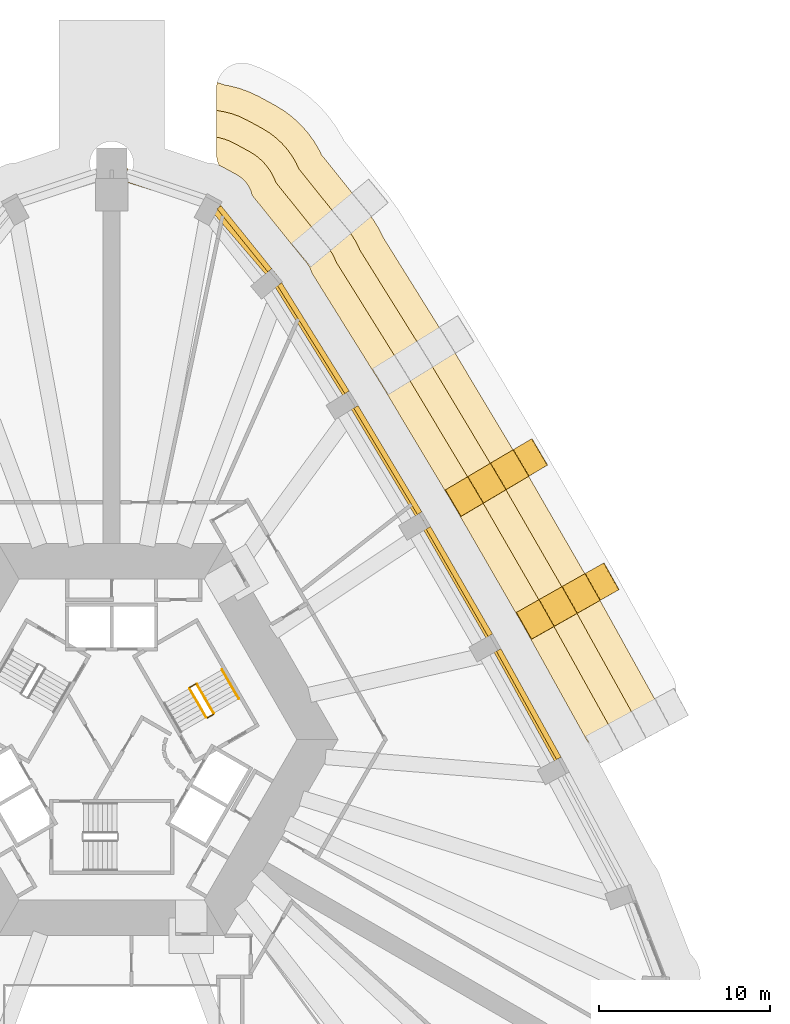
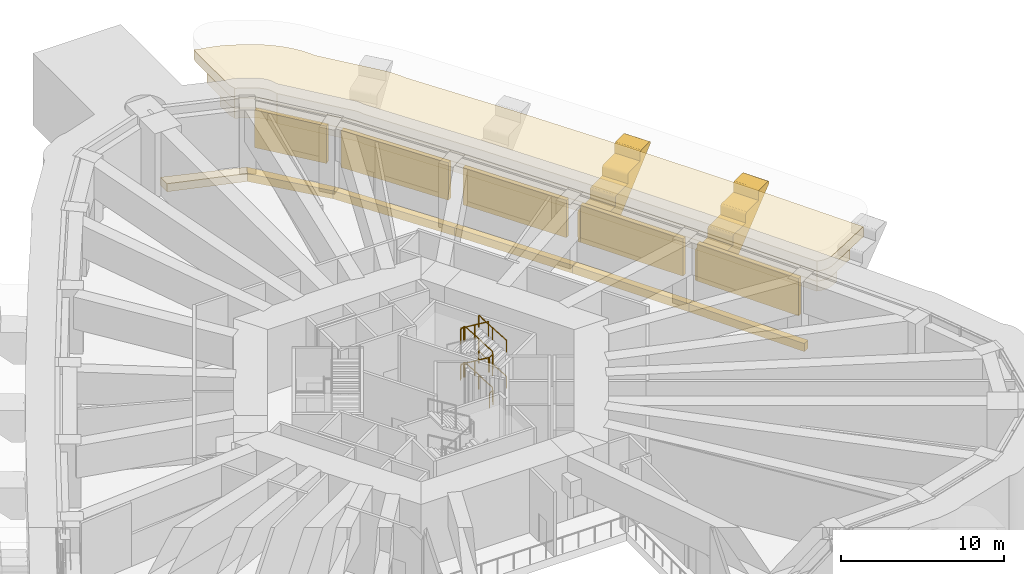
# One storey, part 20 of 21: 11 coverings, 10 railings, 5 shading devices.
"""IFC4 building model written with IfcOpenShell, lengths in metres."""

from ifc_helpers import new_model, si_unit, direction, frame, origin, origin_2d, place, context, subcontext, project, spatial, polyline, rectangle, circle, outline, extrude, material, layer, layer_set, type_object, element, save


model = new_model("IFC4")

# Units and contexts
model_context = context("Model", 3, precision=1e-05, world=origin(), true_north=direction((0.0, 1.0)))
body_context = subcontext(model_context, "Body", "Model", "MODEL_VIEW")
ifc_project = project(units=[si_unit("LENGTHUNIT", "METRE"), si_unit("AREAUNIT", "SQUARE_METRE"), si_unit("VOLUMEUNIT", "CUBIC_METRE"), si_unit("PLANEANGLEUNIT", "RADIAN"), si_unit("MASSUNIT", "GRAM", prefix="KILO")], contexts=[model_context])

# Site, building, storey
site_placement = place(None, origin())
site = spatial("IfcSite", under=ifc_project, at=site_placement, CompositionType="ELEMENT")
building_placement = place(site_placement, origin())
building = spatial("IfcBuilding", under=site, at=building_placement, Name="Entoto Arch Interchange Tower", CompositionType="ELEMENT")
storey_placement = place(building_placement, frame((0.0, 0.0, 236.0)))
storey = spatial("IfcBuildingStorey", under=building, at=storey_placement, Name="L53", CompositionType="ELEMENT", Elevation=236.0)

# Shading devices
ifc_material_1 = material(Name="Aluminium, anodised", Category="aluminium")
ifc_layer = layer(ifc_material_1, 0.300048828125)
ifc_layer_set = layer_set([ifc_layer], Name="Aluminium, anodised")
shading_device_type = type_object("IfcShadingDeviceType", Name="PLANT LOUVRE ALUMINIUM", PredefinedType="JALOUSIE", material=ifc_layer_set)
for number, where, z_axis, x_axis, name in (
    (1, (24.450927734375, 4.575927734375, 1.2001953125), (0.0, 0.0, 1.0), (-0.485450619665, 0.874264088172, 0.0), "Plant louvre NE-02 L53"),
    (2, (20.3798828125, 11.76708984375, 1.2001953125), (0.0, 0.0, 1.0), (-0.499969769706, 0.866042856549, 0.0), "Plant louvre NE-03 L53"),
):
    element("IfcShadingDevice", number, at=place(storey_placement, frame(where, z_axis=z_axis, x_axis=x_axis)), inside=storey, type_object=shading_device_type, Name=name, PredefinedType="JALOUSIE", context=body_context, shape_type="SweptSolid", body=[
        extrude(rectangle(XDim=7.26611328125, YDim=0.300048828125, at=origin_2d()), origin(), (0.0, 0.0, 1.0), 2.800048828125),
    ])
shading_device_1_placement = place(storey_placement, frame((16.18798828125, 18.887939453125, 1.2001953125), z_axis=(0.0, 0.0, 1.0), x_axis=(-0.514394633086, 0.857553591009, 0.0)))
element("IfcShadingDevice", 3, at=shading_device_1_placement, inside=storey, type_object=shading_device_type, Name="Plant louvre NE-04 L53", PredefinedType="JALOUSIE", context=body_context, shape_type="SweptSolid", body=[
    extrude(rectangle(XDim=7.264892578125, YDim=0.300048828125, at=origin_2d()), origin(), (0.0, 0.0, 1.0), 2.800048828125),
])
shading_device_2_placement = place(storey_placement, frame((11.822998046875, 26.02392578125, 1.2001953125), z_axis=(0.0, 0.0, 1.0), x_axis=(-0.528956843387, 0.84864872464, 0.0)))
element("IfcShadingDevice", 4, at=shading_device_2_placement, inside=storey, type_object=shading_device_type, Name="Plant louvre NE-05 L53", PredefinedType="JALOUSIE", context=body_context, shape_type="SweptSolid", body=[
    extrude(rectangle(XDim=7.468994140625, YDim=0.300048828125, at=origin_2d()), origin(), (0.0, 0.0, 1.0), 2.800048828125),
])
shading_device_3_placement = place(storey_placement, frame((7.782958984375, 31.85791015625, 1.2001953125), z_axis=(0.0, 0.0, 1.0), x_axis=(-0.627106955174, 0.778933159374, 0.0)))
element("IfcShadingDevice", 5, at=shading_device_3_placement, inside=storey, type_object=shading_device_type, Name="Plant louvre N-01 L53", PredefinedType="JALOUSIE", context=body_context, shape_type="SweptSolid", body=[
    extrude(rectangle(XDim=4.741943359375, YDim=0.300048828125, at=origin_2d()), origin(), (0.0, 0.0, 1.0), 2.800048828125),
])

# Coverings
ifc_material_2 = material(Name="Board-marked precast concrete C50/60", Category="concrete")
covering_type_1 = type_object("IfcCoveringType", Name="PRECAST FRAME COURSE", PredefinedType="CLADDING", material=ifc_material_2)
covering_1_placement = place(storey_placement, frame((0.0, 0.0, 3.300048828125)))
element("IfcCovering", 6, at=covering_1_placement, inside=storey, type_object=covering_type_1, Name="Cantilever cornice ne-L53 2", PredefinedType="CLADDING", context=body_context, shape_type="SweptSolid", body=[
    extrude(outline(polyline([(6.256103515625, 36.256103515625), (6.2080078125, 36.39306640625), (6.174072265625, 36.532958984375), (6.153076171875, 36.677001953125), (6.14599609375, 36.821044921875), (6.14599609375, 37.256103515625), (6.14599609375, 40.669921875), (6.153076171875, 40.81298828125), (6.174072265625, 40.9560546875), (6.18896484375, 41.01708984375), (6.64697265625, 40.864013671875), (6.905029296875, 40.823974609375), (7.51806640625, 40.6650390625), (8.112060546875, 40.447021484375), (8.681884765625, 40.172119140625), (9.56005859375, 39.693115234375), (10.10107421875, 39.364013671875), (10.60595703125, 38.98291015625), (11.071044921875, 38.553955078125), (11.492919921875, 38.0810546875), (11.865966796875, 37.570068359375), (12.18701171875, 37.02392578125), (12.299072265625, 36.781982421875), (14.695068359375, 33.797119140625), (14.98095703125, 33.452880859375), (15.360107421875, 32.946044921875), (15.68896484375, 32.405029296875), (15.906982421875, 31.949951171875), (19.389892578125, 26.362060546875), (19.416015625, 26.323974609375), (19.94189453125, 25.47412109375), (19.988037109375, 25.39697265625), (23.700927734375, 19.195068359375), (23.742919921875, 19.131103515625), (24.2509765625, 18.27001953125), (24.284912109375, 18.2119140625), (27.885986328125, 11.966064453125), (27.947998046875, 11.866943359375), (28.43896484375, 10.99609375), (28.4619140625, 10.955078125), (31.947021484375, 4.672119140625), (32.031005859375, 4.532958984375), (32.26806640625, 4.093017578125), (30.25390625, 3.009033203125), (29.156005859375, 2.4169921875), (29.031005859375, 2.35693359375), (28.89990234375, 2.30908203125), (28.76611328125, 2.27294921875), (28.62890625, 2.2490234375), (28.489990234375, 2.239013671875), (28.35107421875, 2.240966796875), (28.212890625, 2.256103515625), (28.076904296875, 2.283935546875), (27.944091796875, 2.323974609375), (27.93994140625, 2.325927734375), (27.9541015625, 2.2958984375), (27.93701171875, 2.3291015625), (27.847900390625, 2.47607421875), (24.39599609375, 8.699951171875), (24.388916015625, 8.7109375), (23.89794921875, 9.58203125), (23.8330078125, 9.68505859375), (20.257080078125, 15.888916015625), (20.2470703125, 15.906005859375), (19.739013671875, 16.76708984375), (19.696044921875, 16.83203125), (15.998046875, 23.009033203125), (15.985107421875, 23.030029296875), (15.4599609375, 23.881103515625), (15.43408203125, 23.9189453125), (11.743896484375, 29.839111328125), (11.737060546875, 29.864990234375), (11.676025390625, 30.031005859375), (11.60009765625, 30.19091796875), (11.508056640625, 30.342041015625), (11.402099609375, 30.48291015625), (11.092041015625, 30.85693359375), (8.23193359375, 34.410888671875), (8.200927734375, 34.5380859375), (8.14306640625, 34.705078125), (8.068115234375, 34.864990234375), (7.97900390625, 35.01806640625), (7.875, 35.159912109375), (7.757080078125, 35.2919921875), (7.626953125, 35.412109375), (7.486083984375, 35.51806640625), (7.3349609375, 35.610107421875), (6.45703125, 36.089111328125), (6.298095703125, 36.166015625), (6.263916015625, 36.177978515625), (6.294921875, 36.16796875), (6.280029296875, 36.205078125), (6.256103515625, 36.256103515625)])), origin(), (0.0, 0.0, 1.0), 0.75),
])
covering_2_placement = place(storey_placement, frame((0.0, 0.0, 2.550048828125)))
element("IfcCovering", 7, at=covering_2_placement, inside=storey, type_object=covering_type_1, Name="Cantilever cornice ne-L53 3", PredefinedType="CLADDING", context=body_context, shape_type="SweptSolid", body=[
    extrude(outline(polyline([(6.256103515625, 36.256103515625), (6.2080078125, 36.39306640625), (6.174072265625, 36.532958984375), (6.153076171875, 36.677001953125), (6.14599609375, 36.821044921875), (6.14599609375, 37.256103515625), (6.14599609375, 39.39794921875), (6.26904296875, 39.35693359375), (6.591064453125, 39.305908203125), (7.055908203125, 39.18603515625), (7.507080078125, 39.02001953125), (7.93994140625, 38.81103515625), (8.819091796875, 38.33203125), (9.22900390625, 38.08203125), (9.613037109375, 37.7919921875), (9.967041015625, 37.467041015625), (10.287109375, 37.10791015625), (10.570068359375, 36.718994140625), (10.81396484375, 36.304931640625), (10.97705078125, 35.952880859375), (13.493896484375, 32.81591796875), (13.7880859375, 32.462890625), (14.075927734375, 32.077880859375), (14.325927734375, 31.6669921875), (14.533935546875, 31.23291015625), (14.54296875, 31.2080078125), (18.072021484375, 25.548095703125), (18.096923828125, 25.510009765625), (18.623046875, 24.658935546875), (18.657958984375, 24.60107421875), (22.365966796875, 18.406982421875), (22.407958984375, 18.343017578125), (22.916015625, 17.48193359375), (22.943115234375, 17.43701171875), (26.534912109375, 11.205078125), (26.597900390625, 11.10498046875), (27.089111328125, 10.235107421875), (27.10693359375, 10.202880859375), (30.5810546875, 3.93994140625), (30.666015625, 3.799072265625), (30.903076171875, 3.35791015625), (30.25390625, 3.009033203125), (29.156005859375, 2.4169921875), (29.031005859375, 2.35693359375), (28.89990234375, 2.30908203125), (28.76611328125, 2.27294921875), (28.62890625, 2.2490234375), (28.489990234375, 2.239013671875), (28.35107421875, 2.240966796875), (28.212890625, 2.256103515625), (28.076904296875, 2.283935546875), (27.944091796875, 2.323974609375), (27.93994140625, 2.325927734375), (27.9541015625, 2.2958984375), (27.93701171875, 2.3291015625), (27.847900390625, 2.47607421875), (24.39599609375, 8.699951171875), (24.388916015625, 8.7109375), (23.89794921875, 9.58203125), (23.8330078125, 9.68505859375), (20.257080078125, 15.888916015625), (20.2470703125, 15.906005859375), (19.739013671875, 16.76708984375), (19.696044921875, 16.83203125), (15.998046875, 23.009033203125), (15.985107421875, 23.030029296875), (15.4599609375, 23.881103515625), (15.43408203125, 23.9189453125), (11.743896484375, 29.839111328125), (11.737060546875, 29.864990234375), (11.676025390625, 30.031005859375), (11.60009765625, 30.19091796875), (11.508056640625, 30.342041015625), (11.402099609375, 30.48291015625), (11.092041015625, 30.85693359375), (8.23193359375, 34.410888671875), (8.200927734375, 34.5380859375), (8.14306640625, 34.705078125), (8.068115234375, 34.864990234375), (7.97900390625, 35.01806640625), (7.875, 35.159912109375), (7.757080078125, 35.2919921875), (7.626953125, 35.412109375), (7.486083984375, 35.51806640625), (7.3349609375, 35.610107421875), (6.45703125, 36.089111328125), (6.298095703125, 36.166015625), (6.263916015625, 36.177978515625), (6.294921875, 36.16796875), (6.280029296875, 36.205078125), (6.256103515625, 36.256103515625)])), origin(), (0.0, 0.0, 1.0), 0.75),
])
covering_3_placement = place(storey_placement, frame((0.0, 0.0, 1.800048828125)))
element("IfcCovering", 8, at=covering_3_placement, inside=storey, type_object=covering_type_1, Name="Cantilever cornice ne-L53 4", PredefinedType="CLADDING", context=body_context, shape_type="SweptSolid", body=[
    extrude(outline(polyline([(6.256103515625, 36.256103515625), (6.2080078125, 36.39306640625), (6.174072265625, 36.532958984375), (6.153076171875, 36.677001953125), (6.14599609375, 36.821044921875), (6.14599609375, 37.256103515625), (6.14599609375, 37.80908203125), (6.27587890625, 37.7890625), (6.593994140625, 37.7060546875), (6.903076171875, 37.593017578125), (7.198974609375, 37.449951171875), (8.076904296875, 36.970947265625), (8.35791015625, 36.800048828125), (8.6201171875, 36.60205078125), (8.862060546875, 36.37890625), (9.0810546875, 36.134033203125), (9.27392578125, 35.867919921875), (9.44091796875, 35.5849609375), (9.5791015625, 35.287109375), (9.6220703125, 35.1650390625), (12.29296875, 31.8359375), (12.594970703125, 31.472900390625), (12.7919921875, 31.2099609375), (12.962890625, 30.928955078125), (13.10498046875, 30.632080078125), (13.14697265625, 30.51806640625), (16.7529296875, 24.73388671875), (16.779052734375, 24.696044921875), (17.303955078125, 23.844970703125), (17.327880859375, 23.804931640625), (21.031005859375, 17.6201171875), (21.072998046875, 17.554931640625), (21.58203125, 16.694091796875), (21.60009765625, 16.6630859375), (25.18408203125, 10.445068359375), (25.248046875, 10.343994140625), (25.739013671875, 9.472900390625), (25.7509765625, 9.450927734375), (29.214111328125, 3.2080078125), (29.301025390625, 3.06396484375), (29.5390625, 2.623046875), (29.156005859375, 2.4169921875), (29.031005859375, 2.35693359375), (28.89990234375, 2.30908203125), (28.76611328125, 2.27294921875), (28.62890625, 2.2490234375), (28.489990234375, 2.239013671875), (28.35107421875, 2.240966796875), (28.212890625, 2.256103515625), (28.076904296875, 2.283935546875), (27.944091796875, 2.323974609375), (27.93994140625, 2.325927734375), (27.9541015625, 2.2958984375), (27.93701171875, 2.3291015625), (27.847900390625, 2.47607421875), (24.39599609375, 8.699951171875), (24.388916015625, 8.7109375), (23.89794921875, 9.58203125), (23.8330078125, 9.68505859375), (20.257080078125, 15.888916015625), (20.2470703125, 15.906005859375), (19.739013671875, 16.76708984375), (19.696044921875, 16.83203125), (15.998046875, 23.009033203125), (15.985107421875, 23.030029296875), (15.4599609375, 23.881103515625), (15.43408203125, 23.9189453125), (11.743896484375, 29.839111328125), (11.737060546875, 29.864990234375), (11.676025390625, 30.031005859375), (11.60009765625, 30.19091796875), (11.508056640625, 30.342041015625), (11.402099609375, 30.48291015625), (11.092041015625, 30.85693359375), (8.23193359375, 34.410888671875), (8.200927734375, 34.5380859375), (8.14306640625, 34.705078125), (8.068115234375, 34.864990234375), (7.97900390625, 35.01806640625), (7.875, 35.159912109375), (7.757080078125, 35.2919921875), (7.626953125, 35.412109375), (7.486083984375, 35.51806640625), (7.3349609375, 35.610107421875), (6.45703125, 36.089111328125), (6.298095703125, 36.166015625), (6.263916015625, 36.177978515625), (6.294921875, 36.16796875), (6.280029296875, 36.205078125), (6.256103515625, 36.256103515625)])), origin(), (0.0, 0.0, 1.0), 0.75),
])
covering_4_placement = place(storey_placement, frame((25.2099609375, 8.715087890625, -0.56494140625), z_axis=(0.491430547317, -0.870911670273, 0.002979890216), x_axis=(-0.745072816805, -0.42219002769, -0.51635460507)))
element("IfcCovering", 9, at=covering_4_placement, inside=storey, type_object=covering_type_1, Name="Fold rib NE03 L53", PredefinedType="CLADDING", context=body_context, shape_type="SweptSolid", body=[
    extrude(outline(polyline([(0.0, 0.0), (0.04444652961550545, 0.0), (0.08748657200715193, -0.01283889318860934), (0.48968108722776527, -0.25534450425079), (0.5208441240712893, -0.2858224052948229), (0.5412343285764012, -0.3252019706146813), (0.5498880464996686, -0.36890470030786277), (0.5454341671282824, -0.41183377569646074), (0.528448422267616, -0.4529078572959244), (-0.5556204259182879, -2.2513004240776113), (-0.573083651889013, -2.274698158288949), (-0.5950509737063592, -2.294236089057166), (-0.6204979316606287, -2.3091122821205023), (-0.6624840755309271, -2.3225705746182568), (-0.7065183101975162, -2.322816211523513), (-0.7353926323909425, -2.3148139477235112), (-0.7613346524479031, -2.3025926229078753), (-1.934697066843125, -1.5951077838088303), (-2.2530746963335218, -2.121275504972281), (-2.2835494245678047, -2.151934567766799), (-2.308814479978909, -2.166920857834893), (-2.33733738419828, -2.176804016053813), (-2.3807015459789262, -2.180879712585708), (-2.423606106971994, -2.172683932664216), (-2.45056071348201, -2.1598507135984772), (-3.6492619030179787, -1.4370851690904616), (-3.9676395325083753, -1.9632528902539124), (-3.9986296294288035, -1.9936049069168604), (-4.023791611102679, -2.008652606211269), (-4.051586905149389, -2.018976152449219), (-4.095266382153779, -2.0228570978673392), (-4.138686311832993, -2.0143542718142777), (-4.1653559420626145, -2.0016925589796104), (-5.3640571315985826, -1.2789270144715945), (-5.682434761088979, -1.8050947356350457), (-5.7130125630604915, -1.8356923892032495), (-5.738277618471596, -1.8506786792713434), (-5.7663821337299925, -1.8608179978303516), (-5.810061610734384, -1.864698943248472), (-5.853069245464681, -1.8564417541006661), (-5.880333073186383, -1.8434243073559857), (-6.72712315375355, -1.332846401984427), (-6.750039658546429, -1.3156072860296972), (-6.777415464412305, -1.2814248426632449), (-6.7900186661457544, -1.2552961879366729), (-6.797265226676872, -1.2275485208068098), (-6.798960114673331, -1.1971613150715306), (-6.795128017413463, -1.1681138978311059), (-6.785505692483127, -1.141131464478697), (-6.770504179298722, -1.1162515834140274), (-6.750627730404263, -1.0943105531602804), (-6.7274535479160456, -1.0769211636066562), (-6.701032632761692, -1.0634915612474534), (-6.672273999239023, -1.0563116395304788), (0.0, 0.0)])), origin(), (0.0, 0.0, -1.0), 1.800048828125),
])
covering_5_placement = place(storey_placement, frame((21.068115234375, 15.926025390625, -0.56494140625), z_axis=(0.508617832322, -0.860987555928, 0.002886032162), x_axis=(-0.740162109919, -0.438949177385, -0.509395397225)))
element("IfcCovering", 10, at=covering_5_placement, inside=storey, type_object=covering_type_1, Name="Fold rib NE04 L53", PredefinedType="CLADDING", context=body_context, shape_type="SweptSolid", body=[
    extrude(outline(polyline([(0.0, 0.0), (0.0450534782308684, 0.0), (0.08842817092481314, -0.012626487266705712), (0.4924075499715889, -0.2517639597710251), (0.5239917928125478, -0.2820951731758652), (0.5442082746238439, -0.32101428656064557), (0.5531107904555266, -0.36458591145631375), (0.5495327513860699, -0.4078597257626753), (0.5328772480764128, -0.44906865180073435), (-0.5366797921638745, -2.256129492663937), (-0.5539627767044184, -2.2796618512537856), (-0.5757618111371288, -2.299382132026845), (-0.6015160446467593, -2.31421222165603), (-0.6435055852307743, -2.327941736201731), (-0.6871197186285082, -2.3287923238122996), (-0.7158710945094799, -2.32113352001277), (-0.7425130236864379, -2.3087672487034627), (-1.9210879089970456, -1.611103270653488), (-2.235218426337778, -2.1398175720022556), (-2.265545559910702, -2.1706623827114493), (-2.290690428474176, -2.1858507867263297), (-2.318718072294091, -2.1962125989957086), (-2.362780264479633, -2.200202001785124), (-2.4055476779565437, -2.1924765029852353), (-2.432838883380362, -2.179725343685308), (-3.6372861431005887, -1.4667444760107604), (-3.9514166604413212, -1.995458777359528), (-3.9817437940142457, -2.026303588068722), (-4.00721015855725, -2.04130379522002), (-4.034916306397634, -2.0518538043529815), (-4.078074980382592, -2.056380133313662), (-4.121745912060087, -2.0481177083425077), (-4.148314302923438, -2.0357960899795926), (-5.352761562643665, -1.322815222305045), (-5.666892079984397, -1.8515295236538125), (-5.697647874863362, -1.8821234052115647), (-5.722685578100325, -1.897374541514305), (-5.750391725940711, -1.907924550647266), (-5.794453918126253, -1.9119139534366814), (-5.837221331603163, -1.9041884546367922), (-5.864405371700471, -1.8915000276247262), (-6.715205999085129, -1.3878638557379093), (-6.738682485966358, -1.3705628149063487), (-6.758576554297535, -1.3494229735170462), (-6.779640214779949, -1.3102844089767745), (-6.786914052207741, -1.2827171275406046), (-6.788663926632699, -1.2524572152550952), (-6.784349042308218, -1.223805778423897), (-6.775670040864334, -1.1963154204725694), (-6.760870711696922, -1.1713147364715586), (-6.741171325809052, -1.1492145446099356), (-6.71812610579042, -1.1316462295064924), (-6.691480039131923, -1.1181981058616421), (-6.663018877860417, -1.1106489157878379), (0.0, 0.0)])), origin(), (0.0, 0.0, -1.0), 1.800048828125),
])
covering_type_2 = type_object("IfcCoveringType", Name="PRECAST LEDGE COURSE", PredefinedType="CLADDING", material=ifc_material_2)
covering_6_placement = place(storey_placement, frame((0.0, 0.0, -1.199951171875)))
element("IfcCovering", 11, at=covering_6_placement, inside=storey, type_object=covering_type_2, Name="Precast course NE-02 L53", PredefinedType="CLADDING", context=body_context, shape_type="SweptSolid", body=[
    extrude(outline(polyline([(22.18408203125, 8.041015625), (22.575927734375, 8.261962890625), (26.589111328125, 1.034912109375), (26.18701171875, 0.818115234375), (22.18408203125, 8.041015625)])), origin(), (0.0, 0.0, 1.0), 0.599853515625),
])
covering_7_placement = place(storey_placement, frame((0.0, 0.0, -1.199951171875)))
element("IfcCovering", 12, at=covering_7_placement, inside=storey, type_object=covering_type_2, Name="Precast course NE-03 L53", PredefinedType="CLADDING", context=body_context, shape_type="SweptSolid", body=[
    extrude(outline(polyline([(18.054931640625, 15.19091796875), (18.443115234375, 15.4208984375), (22.575927734375, 8.261962890625), (22.18408203125, 8.041015625), (18.054931640625, 15.19091796875)])), origin(), (0.0, 0.0, 1.0), 0.599853515625),
])
covering_8_placement = place(storey_placement, frame((0.0, 0.0, -1.199951171875)))
element("IfcCovering", 13, at=covering_8_placement, inside=storey, type_object=covering_type_2, Name="Precast course NE-04 L53", PredefinedType="CLADDING", context=body_context, shape_type="SweptSolid", body=[
    extrude(outline(polyline([(13.802001953125, 22.27001953125), (14.19091796875, 22.510009765625), (18.443115234375, 15.4208984375), (18.054931640625, 15.19091796875), (13.802001953125, 22.27001953125)])), origin(), (0.0, 0.0, 1.0), 0.599853515625),
])
covering_9_placement = place(storey_placement, frame((0.0, 0.0, -1.199951171875)))
element("IfcCovering", 14, at=covering_9_placement, inside=storey, type_object=covering_type_2, Name="Precast course NE-05 L53", PredefinedType="CLADDING", context=body_context, shape_type="SweptSolid", body=[
    extrude(outline(polyline([(9.3349609375, 29.4169921875), (9.697998046875, 29.718017578125), (14.19091796875, 22.510009765625), (13.802001953125, 22.27001953125), (9.3349609375, 29.4169921875)])), origin(), (0.0, 0.0, 1.0), 0.599853515625),
])
covering_10_placement = place(storey_placement, frame((0.0, 0.0, -1.199951171875)))
element("IfcCovering", 15, at=covering_10_placement, inside=storey, type_object=covering_type_2, Name="Precast course N-01 L53", PredefinedType="CLADDING", context=body_context, shape_type="SweptSolid", body=[
    extrude(outline(polyline([(5.705078125, 33.660888671875), (6.034912109375, 34.26904296875), (9.697998046875, 29.718017578125), (9.3349609375, 29.4169921875), (5.705078125, 33.660888671875)])), origin(), (0.0, 0.0, 1.0), 0.599853515625),
])
covering_11_placement = place(storey_placement, frame((0.0, 0.0, -1.199951171875)))
element("IfcCovering", 16, at=covering_11_placement, inside=storey, type_object=covering_type_2, Name="Precast course N-02 L53", PredefinedType="CLADDING", context=body_context, shape_type="SweptSolid", body=[
    extrude(outline(polyline([(0.89990234375, 35.166015625), (0.89990234375, 35.98291015625), (6.034912109375, 34.26904296875), (5.705078125, 33.660888671875), (0.89990234375, 35.166015625)])), origin(), (0.0, 0.0, 1.0), 0.599853515625),
])

# Railings
ifc_material_3 = material(Name="Stainless steel 1.4301", Category="steel")
railing_type_1 = type_object("IfcRailingType", Name="STAIR GUARD 1100 STEEL", PredefinedType="GUARDRAIL", material=ifc_material_3)
railing_1_placement = place(storey_placement, frame((5.977783203125, 4.046142578125, 0.168701171875)))
element("IfcRailing", 17, at=railing_1_placement, inside=storey, type_object=railing_type_1, Name="L53 ST-NE stair guard 1", PredefinedType="GUARDRAIL", context=body_context, shape_type="SweptSolid", body=[
    extrude(circle(Radius=0.02392578125, at=origin_2d()), frame((0.0, 0.0, 1.076171875), z_axis=(-0.428238462606, 0.741682559053, 0.516254589076), x_axis=(-0.866011328839, -0.500024377727, 0.0)), (0.0, 0.0, 1.0), 2.288330078125),
    extrude(circle(Radius=0.02099609375, at=origin_2d()), origin(), (0.0, 0.0, 1.0), 1.052001953125),
    extrude(circle(Radius=0.02099609375, at=origin_2d()), frame((-0.489990234375, 0.8486328125, 0.5908203125)), (0.0, 0.0, 1.0), 1.052001953125),
    extrude(circle(Radius=0.02099609375, at=origin_2d()), frame((-0.97998046875, 1.697265625, 1.181396484375)), (0.0, 0.0, 1.0), 1.052001953125),
])
railing_2_placement = place(storey_placement, frame((4.929443359375, 5.76171875, 1.35009765625)))
element("IfcRailing", 18, at=railing_2_placement, inside=storey, type_object=railing_type_1, Name="L53 ST-NE stair guard 2", PredefinedType="GUARDRAIL", context=body_context, shape_type="SweptSolid", body=[
    extrude(circle(Radius=0.02392578125, at=origin_2d()), frame((0.0, 0.0, 1.076171875), z_axis=(-0.865941482684, -0.500145327446, 0.0), x_axis=(0.500145327446, -0.865941482684, 0.0)), (0.0, 0.0, 1.0), 0.39990234375),
    extrude(circle(Radius=0.02099609375, at=origin_2d()), origin(), (0.0, 0.0, 1.0), 1.052001953125),
    extrude(circle(Radius=0.02099609375, at=origin_2d()), frame((-0.34619140625, -0.199951171875, 0.0)), (0.0, 0.0, 1.0), 1.052001953125),
])
railing_3_placement = place(storey_placement, frame((4.56494140625, 5.493408203125, 1.518798828125)))
element("IfcRailing", 19, at=railing_3_placement, inside=storey, type_object=railing_type_1, Name="L53 ST-NE stair guard 3", PredefinedType="GUARDRAIL", context=body_context, shape_type="SweptSolid", body=[
    extrude(circle(Radius=0.02392578125, at=origin_2d()), frame((0.0, 0.0, 1.076171875), z_axis=(0.428262048313, -0.74172340804, 0.516176330279), x_axis=(0.866011328839, 0.500024377727, 0.0)), (0.0, 0.0, 1.0), 2.288330078125),
    extrude(circle(Radius=0.02099609375, at=origin_2d()), origin(), (0.0, 0.0, 1.0), 1.052001953125),
    extrude(circle(Radius=0.02099609375, at=origin_2d()), frame((0.489990234375, -0.8486328125, 0.590576171875)), (0.0, 0.0, 1.0), 1.052001953125),
    extrude(circle(Radius=0.02099609375, at=origin_2d()), frame((0.97998046875, -1.697265625, 1.18115234375)), (0.0, 0.0, 1.0), 1.052001953125),
])
railing_4_placement = place(storey_placement, frame((5.95947265625, 3.977783203125, 2.699951171875)))
element("IfcRailing", 20, at=railing_4_placement, inside=storey, type_object=railing_type_1, Name="L53 ST-NE stair guard 4", PredefinedType="GUARDRAIL", context=body_context, shape_type="SweptSolid", body=[
    extrude(circle(Radius=0.02392578125, at=origin_2d()), frame((0.0, 0.0, 1.076171875), z_axis=(-0.866094119867, -0.499880961361, 0.0), x_axis=(0.499880961361, -0.866094119867, 0.0)), (0.0, 0.0, 1.0), 0.39990234375),
    extrude(circle(Radius=0.02099609375, at=origin_2d()), origin(), (0.0, 0.0, 1.0), 1.052001953125),
    extrude(circle(Radius=0.02099609375, at=origin_2d()), frame((-0.346435546875, -0.199951171875, 0.0)), (0.0, 0.0, 1.0), 1.052001953125),
])
railing_5_placement = place(storey_placement, frame((5.977783203125, 4.046142578125, 2.86865234375)))
element("IfcRailing", 21, at=railing_5_placement, inside=storey, type_object=railing_type_1, Name="L53 ST-NE stair guard 5", PredefinedType="GUARDRAIL", context=body_context, shape_type="SweptSolid", body=[
    extrude(circle(Radius=0.02392578125, at=origin_2d()), frame((0.0, 0.0, 1.076171875), z_axis=(-0.428238462606, 0.741682559053, 0.516254589076), x_axis=(-0.866011328839, -0.500024377727, 0.0)), (0.0, 0.0, 1.0), 2.288330078125),
    extrude(circle(Radius=0.02099609375, at=origin_2d()), origin(), (0.0, 0.0, 1.0), 1.052001953125),
    extrude(circle(Radius=0.02099609375, at=origin_2d()), frame((-0.489990234375, 0.8486328125, 0.5908203125)), (0.0, 0.0, 1.0), 1.052001953125),
    extrude(circle(Radius=0.02099609375, at=origin_2d()), frame((-0.97998046875, 1.697265625, 1.181396484375)), (0.0, 0.0, 1.0), 1.052001953125),
])
railing_6_placement = place(storey_placement, frame((4.929443359375, 5.76171875, 4.050048828125)))
element("IfcRailing", 22, at=railing_6_placement, inside=storey, type_object=railing_type_1, Name="L53 ST-NE stair guard 6", PredefinedType="GUARDRAIL", context=body_context, shape_type="SweptSolid", body=[
    extrude(circle(Radius=0.02392578125, at=origin_2d()), frame((0.0, 0.0, 1.076171875), z_axis=(-0.865941482684, -0.500145327446, 0.0), x_axis=(0.500145327446, -0.865941482684, 0.0)), (0.0, 0.0, 1.0), 0.39990234375),
    extrude(circle(Radius=0.02099609375, at=origin_2d()), origin(), (0.0, 0.0, 1.0), 1.052001953125),
    extrude(circle(Radius=0.02099609375, at=origin_2d()), frame((-0.34619140625, -0.199951171875, 0.0)), (0.0, 0.0, 1.0), 1.052001953125),
])
railing_7_placement = place(storey_placement, frame((4.56494140625, 5.493408203125, 4.21875)))
element("IfcRailing", 23, at=railing_7_placement, inside=storey, type_object=railing_type_1, Name="L53 ST-NE stair guard 7", PredefinedType="GUARDRAIL", context=body_context, shape_type="SweptSolid", body=[
    extrude(circle(Radius=0.02392578125, at=origin_2d()), frame((0.0, 0.0, 1.076171875), z_axis=(0.428262048313, -0.74172340804, 0.516176330279), x_axis=(0.866011328839, 0.500024377727, 0.0)), (0.0, 0.0, 1.0), 2.288330078125),
    extrude(circle(Radius=0.02099609375, at=origin_2d()), origin(), (0.0, 0.0, 1.0), 1.052001953125),
    extrude(circle(Radius=0.02099609375, at=origin_2d()), frame((0.489990234375, -0.8486328125, 0.590576171875)), (0.0, 0.0, 1.0), 1.052001953125),
    extrude(circle(Radius=0.02099609375, at=origin_2d()), frame((0.97998046875, -1.697265625, 1.18115234375)), (0.0, 0.0, 1.0), 1.052001953125),
])
railing_8_placement = place(storey_placement, frame((5.95947265625, 3.977783203125, 0.0)))
element("IfcRailing", 24, at=railing_8_placement, inside=storey, type_object=railing_type_1, Name="L53 ST-NE stair guard 8", PredefinedType="GUARDRAIL", context=body_context, shape_type="SweptSolid", body=[
    extrude(circle(Radius=0.02392578125, at=origin_2d()), frame((0.0, 0.0, 1.076171875), z_axis=(-0.866094119867, -0.499880961361, 0.0), x_axis=(0.499880961361, -0.866094119867, 0.0)), (0.0, 0.0, 1.0), 0.39990234375),
    extrude(circle(Radius=0.02099609375, at=origin_2d()), origin(), (0.0, 0.0, 1.0), 1.052001953125),
    extrude(circle(Radius=0.02099609375, at=origin_2d()), frame((-0.346435546875, -0.199951171875, 0.0)), (0.0, 0.0, 1.0), 1.052001953125),
])
railing_type_2 = type_object("IfcRailingType", Name="STAIR HANDRAIL 900 STEEL", PredefinedType="HANDRAIL", material=ifc_material_3)
for number, where, name in (
    (25, (7.4501953125, 4.89599609375, 0.168701171875), "L53 ST-NE stair handrail 1"),
    (26, (7.4501953125, 4.89599609375, 2.86865234375), "L53 ST-NE stair handrail 3"),
):
    element("IfcRailing", number, at=place(storey_placement, frame(where)), inside=storey, type_object=railing_type_2, Name=name, PredefinedType="HANDRAIL", context=body_context, shape_type="SweptSolid", body=[
        extrude(circle(Radius=0.02392578125, at=origin_2d()), frame((0.0, 0.0, 0.8759765625), z_axis=(-0.428204578836, 0.741730552229, 0.516213741153), x_axis=(-0.866042469362, -0.499970440388, 0.0)), (0.0, 0.0, 1.0), 2.28857421875),
        extrude(circle(Radius=0.02099609375, at=origin_2d()), origin(), (0.0, 0.0, 1.0), 0.851806640625),
        extrude(circle(Radius=0.02099609375, at=origin_2d()), frame((-0.489990234375, 0.8486328125, 0.5908203125)), (0.0, 0.0, 1.0), 0.851806640625),
        extrude(circle(Radius=0.02099609375, at=origin_2d()), frame((-0.97998046875, 1.697509765625, 1.181396484375)), (0.0, 0.0, 1.0), 0.851806640625),
    ])

save(model, "model.ifc")
